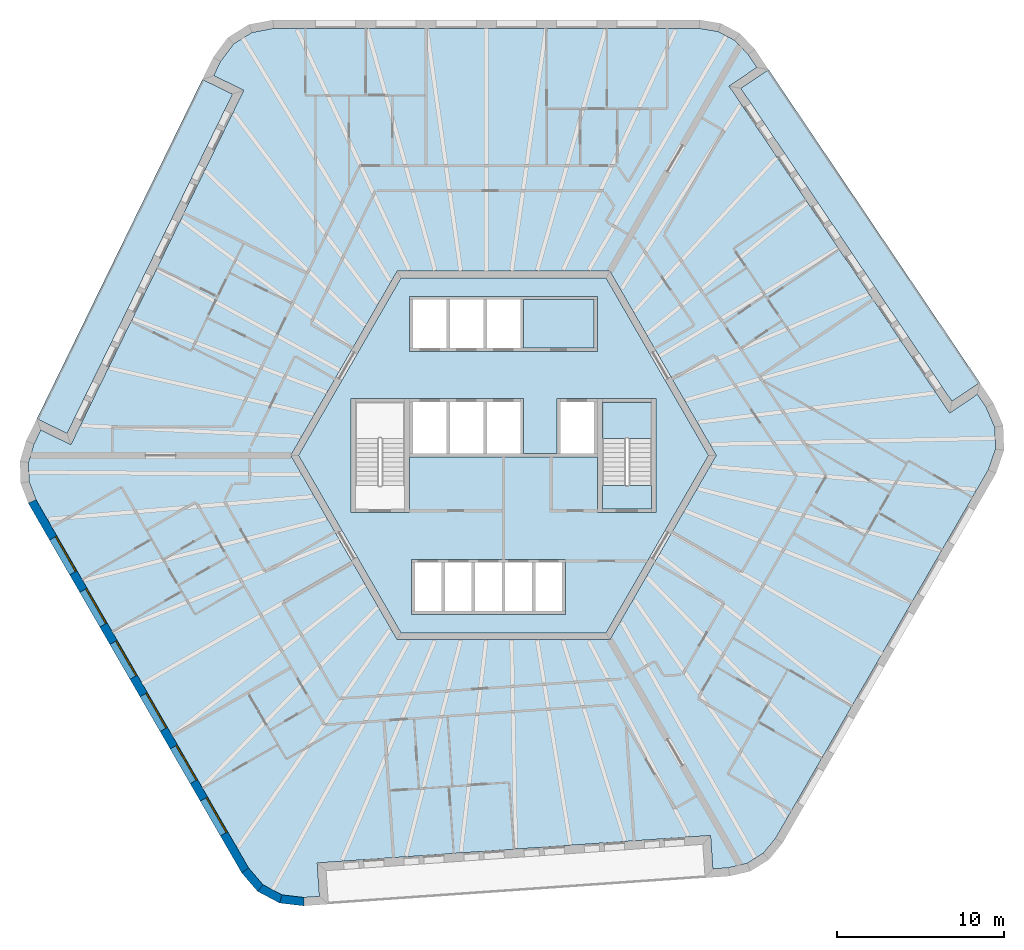
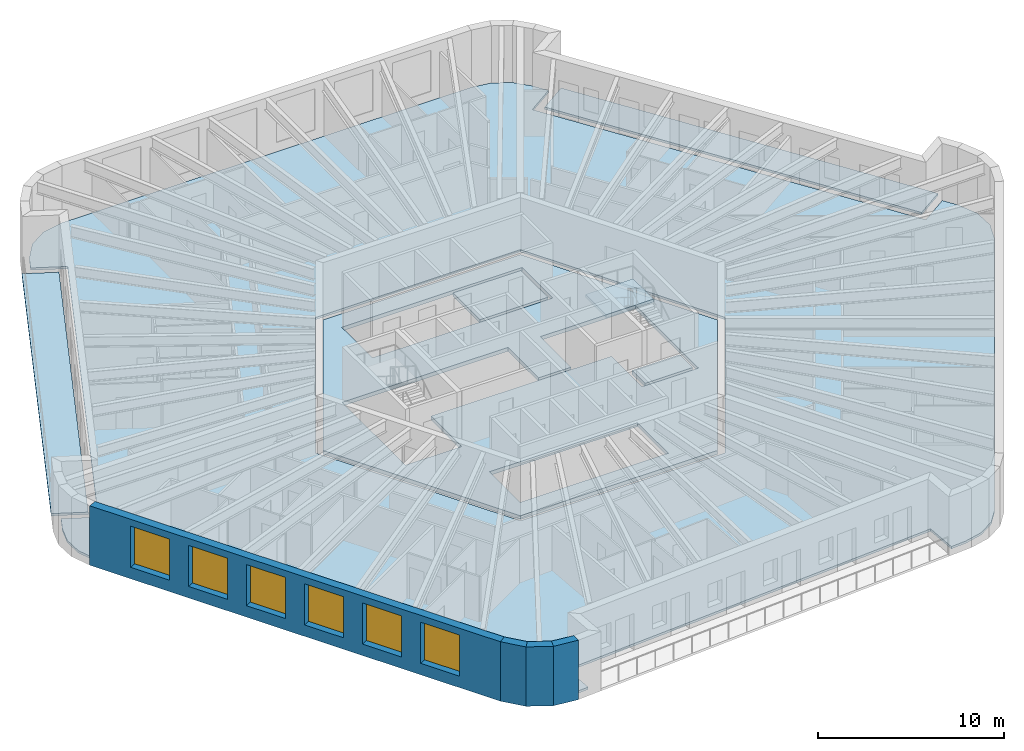
# One storey, part 2 of 12: 7 slabs, 6 windows, 4 walls, 6 openings, 1 element without a shape of its own.
"""IFC4 building model written with IfcOpenShell, lengths in metres."""

import ifcopenshell
import ifcopenshell.guid

model = None  # the IFC model being written
_history = None  # IfcOwnerHistory: only IFC2X3 demands one
_inside = {}  # id of a spatial element -> (the spatial element, [elements in it])
_under = {}  # id of a project, library or spatial element -> (it, [spatial elements below it])
_declared = {}  # id of a project -> (the project, [libraries it declares])
_typed = {}  # id of a type object -> (the type object, [elements of that type])
_made_of = {}  # id of a material, layer set ... -> (it, [elements and type objects made of it])


def new_model(schema):
    """Start an empty IFC model of exactly this schema.

    Asked for "IFC4X3", IfcOpenShell would pick the latest addendum, in which some entities
    have other attributes; the version numbers below select the first issue.
    IFC2X3 requires an IfcOwnerHistory on every rooted entity: one is made here for all.
    """
    global model, _history
    if schema == "IFC4X3":
        model = ifcopenshell.file(schema_version=(4, 3, 0, 0))
    else:
        model = ifcopenshell.file(schema=schema)
    _inside.clear()
    _under.clear()
    _declared.clear()
    _typed.clear()
    _made_of.clear()
    _history = None
    if model.schema == "IFC2X3":
        org = make("IfcOrganization", Name="unknown")
        user = make(
            "IfcPersonAndOrganization",
            ThePerson=make("IfcPerson", FamilyName="unknown"),
            TheOrganization=org,
        )
        app = make(
            "IfcApplication",
            ApplicationDeveloper=org,
            Version="unknown",
            ApplicationFullName="unknown",
            ApplicationIdentifier="unknown",
        )
        _history = make(
            "IfcOwnerHistory",
            OwningUser=user,
            OwningApplication=app,
            ChangeAction="ADDED",
            CreationDate=0,
        )
    return model


def make(cls, **values):
    """One entity of the class cls with the attributes given. An attribute that is None is left unset."""
    return model.create_entity(
        cls, **{name: value for name, value in values.items() if value is not None}
    )


def rooted(cls, **values):
    """An entity with a GlobalId (a new one), such as an element, a storey or a relation."""
    return make(cls, GlobalId=ifcopenshell.guid.new(), OwnerHistory=_history, **values)


def si_unit(unit_type, name, prefix=None):
    """IfcSIUnit, for example si_unit("LENGTHUNIT", "METRE", prefix="MILLI")."""
    return make("IfcSIUnit", UnitType=unit_type, Prefix=prefix, Name=name)


def assignment(units):
    """IfcUnitAssignment: the units of a project."""
    return None if units is None else make("IfcUnitAssignment", Units=units)


def point(xyz):
    """IfcCartesianPoint."""
    return None if xyz is None else make("IfcCartesianPoint", Coordinates=xyz)


def direction(xyz):
    """IfcDirection."""
    return None if xyz is None else make("IfcDirection", DirectionRatios=xyz)


def frame(location, z_axis=None, x_axis=None):
    """IfcAxis2Placement3D, a coordinate frame: its origin and axes. An axis left out is left unset."""
    return make(
        "IfcAxis2Placement3D",
        Location=point(location),
        Axis=direction(z_axis),
        RefDirection=direction(x_axis),
    )


def frame_2d(location, x_axis=None):
    """IfcAxis2Placement2D, a coordinate frame in the plane: its origin and x axis."""
    return make(
        "IfcAxis2Placement2D", Location=point(location), RefDirection=direction(x_axis)
    )


def origin():
    """The frame at (0, 0, 0) with its axes left unset."""
    return frame((0.0, 0.0, 0.0))


def place(relative_to, where):
    """IfcLocalPlacement: puts the frame where relative to a parent placement (None: the world)."""
    return make(
        "IfcLocalPlacement", PlacementRelTo=relative_to, RelativePlacement=where
    )


def context(
    kind, dimensions, precision=None, world=None, true_north=None, identifier=None
):
    """IfcGeometricRepresentationContext, for example the 3D "Model" context."""
    return make(
        "IfcGeometricRepresentationContext",
        ContextIdentifier=identifier,
        ContextType=kind,
        CoordinateSpaceDimension=dimensions,
        Precision=precision,
        WorldCoordinateSystem=world,
        TrueNorth=true_north,
    )


def subcontext(parent, identifier, kind, view, scale=None):
    """IfcGeometricRepresentationSubContext, for example "Body" below "Model"."""
    return make(
        "IfcGeometricRepresentationSubContext",
        ContextIdentifier=identifier,
        ContextType=kind,
        ParentContext=parent,
        TargetScale=scale,
        TargetView=view,
    )


def project(units=None, contexts=None):
    """IfcProject with its units and contexts."""
    return rooted(
        "IfcProject",
        Name="project",
        RepresentationContexts=contexts,
        UnitsInContext=assignment(units),
    )


def spatial(cls, under=None, at=None, **own):
    """A site, building, storey or space (cls), placed at a placement, below another one or the project."""
    s = rooted(cls, ObjectPlacement=at, **own)
    if under is not None:
        _under.setdefault(under.id(), (under, []))[1].append(s)
    return s


def polyline(points):
    """IfcPolyline through the points."""
    return make("IfcPolyline", Points=[point(p) for p in points])


def profile(cls, at=None, kind="AREA", **sizes):
    """A parametric profile (cls). Its sizes go by their IFC names, for example OverallWidth=200.0."""
    return make(cls, ProfileType=kind, Position=at, **sizes)


def rectangle(**sizes):
    """IfcRectangleProfileDef."""
    return profile("IfcRectangleProfileDef", **sizes)


def outline(outer, holes=None, kind="AREA"):
    """IfcArbitraryClosedProfileDef: a profile drawn as a closed curve; with holes, ...WithVoids."""
    if holes is None:
        return make("IfcArbitraryClosedProfileDef", ProfileType=kind, OuterCurve=outer)
    return make(
        "IfcArbitraryProfileDefWithVoids",
        ProfileType=kind,
        OuterCurve=outer,
        InnerCurves=holes,
    )


def extrude(swept, where, along, depth):
    """IfcExtrudedAreaSolid: the profile swept, set in the frame where, extruded along a direction by depth."""
    return make(
        "IfcExtrudedAreaSolid",
        SweptArea=swept,
        Position=where,
        ExtrudedDirection=direction(along),
        Depth=depth,
    )


def shape(context_of_items, identifier, shape_type, items):
    """IfcShapeRepresentation: the items that make up one representation, for example the "Body"."""
    return make(
        "IfcShapeRepresentation",
        ContextOfItems=context_of_items,
        RepresentationIdentifier=identifier,
        RepresentationType=shape_type,
        Items=items,
    )


def material(Name=None, Category=None):
    """IfcMaterial."""
    return make("IfcMaterial", Name=Name, Category=Category)


def layer(
    of_material, thickness, ventilated=None, Name=None, Category=None, Priority=None
):
    """IfcMaterialLayer: one layer of a wall or slab, of a material (None: an air gap)."""
    return make(
        "IfcMaterialLayer",
        Material=of_material,
        LayerThickness=thickness,
        IsVentilated=ventilated,
        Name=Name,
        Category=Category,
        Priority=Priority,
    )


def layer_set(layers, Name=None):
    """IfcMaterialLayerSet."""
    return make("IfcMaterialLayerSet", MaterialLayers=layers, LayerSetName=Name)


def made_of(thing, what):
    """Note that an element or type object is made of a material, layer set ...; save() writes the relation."""
    if what is not None:
        _made_of.setdefault(what.id(), (what, []))[1].append(thing)
    return thing


def type_object(cls, material=None, **own):
    """A type object (cls), such as IfcWallType, which elements share."""
    return made_of(rooted(cls, **own), material)


def element(
    cls,
    number,
    at=None,
    inside=None,
    cuts=None,
    type_object=None,
    material=None,
    context=None,
    identifier="Body",
    shape_type=None,
    held_by="IfcProductDefinitionShape",
    body=None,
    shapes=None,
    **own,
):
    """One element of the class cls, such as IfcWall. Its Tag is "e" and its number.

    at: its placement. inside: the storey or other place that contains it. cuts: it is an
    opening in that element (IfcRelVoidsElement). A single representation is given by context,
    identifier, shape_type and body (its items); several are given by shapes. held_by: the class
    of the entity that holds the representations. save() writes the other relations.
    """
    e = rooted(cls, Tag="e%d" % number, ObjectPlacement=at, **own)
    if body is not None:
        shapes = [shape(context, identifier, shape_type, body)]
    if shapes is not None:
        e.Representation = make(held_by, Representations=shapes)
    if inside is not None:
        _inside.setdefault(inside.id(), (inside, []))[1].append(e)
    if cuts is not None:
        rooted(
            "IfcRelVoidsElement", RelatingBuildingElement=cuts, RelatedOpeningElement=e
        )
    if type_object is not None:
        _typed.setdefault(type_object.id(), (type_object, []))[1].append(e)
    return made_of(e, material)


def fill(opening, filler):
    """IfcRelFillsElement: the door or window that sits in an opening."""
    return rooted(
        "IfcRelFillsElement",
        RelatingOpeningElement=opening,
        RelatedBuildingElement=filler,
    )


def aggregate(whole, parts):
    """IfcRelAggregates: a whole, such as a stair, and the parts it consists of."""
    return rooted("IfcRelAggregates", RelatingObject=whole, RelatedObjects=parts)


def save(model, path):
    """Write the relations noted so far, then the file.

    IfcRelAggregates (storeys below a building ...), IfcRelContainedInSpatialStructure (elements
    in a storey), IfcRelDefinesByType, IfcRelAssociatesMaterial and IfcRelDeclares: one each for
    every whole, place, type object, material and project.
    """
    for whole, parts in _under.values():
        aggregate(whole, parts)
    for where, things in _inside.values():
        rooted(
            "IfcRelContainedInSpatialStructure",
            RelatedElements=things,
            RelatingStructure=where,
        )
    for kind, things in _typed.values():
        rooted("IfcRelDefinesByType", RelatedObjects=things, RelatingType=kind)
    for what, things in _made_of.values():
        rooted("IfcRelAssociatesMaterial", RelatedObjects=things, RelatingMaterial=what)
    for by, libraries in _declared.values():
        rooted("IfcRelDeclares", RelatingContext=by, RelatedDefinitions=libraries)
    model.write(path)


model = new_model("IFC4")

# Units and contexts
model_context = context("Model", 3, precision=1e-05, world=origin(), true_north=direction((0.0, 1.0)))
body_context = subcontext(model_context, "Body", "Model", "MODEL_VIEW")
ifc_project = project(units=[si_unit("LENGTHUNIT", "METRE"), si_unit("AREAUNIT", "SQUARE_METRE"), si_unit("VOLUMEUNIT", "CUBIC_METRE"), si_unit("PLANEANGLEUNIT", "RADIAN"), si_unit("MASSUNIT", "GRAM", prefix="KILO")], contexts=[model_context])

# Site, building, storey
site_placement = place(None, origin())
site = spatial("IfcSite", under=ifc_project, at=site_placement, CompositionType="ELEMENT")
building_placement = place(site_placement, origin())
building = spatial("IfcBuilding", under=site, at=building_placement, Name="Tarnside Tower", CompositionType="ELEMENT")
storey_placement = place(building_placement, frame((0.0, 0.0, 287.39990234375)))
storey = spatial("IfcBuildingStorey", under=building, at=storey_placement, Name="L69", CompositionType="ELEMENT", Elevation=287.39990234375)

# Slabs
ifc_material_1 = material(Name="Concrete C35/45", Category="concrete")
ifc_layer_1 = layer(ifc_material_1, 0.14990234375)
ifc_layer_set_1 = layer_set([ifc_layer_1], Name="Composite floor slab 150")
slab_type_1 = type_object("IfcSlabType", Name="Composite floor slab 150", PredefinedType="FLOOR", material=ifc_layer_set_1)
slab_1_placement = place(storey_placement, frame((0.0, 0.0, -0.14990234375)))
element("IfcSlab", 1, at=slab_1_placement, inside=storey, type_object=slab_type_1, Name="Floor slab L69", PredefinedType="FLOOR", context=body_context, shape_type="SweptSolid", body=[
    extrude(outline(polyline([(12.81689453125, 25.312744140625), (13.818115234375, 24.7802734375), (14.610595703125, 23.940185546875), (15.130615234375, 23.169677734375), (13.472412109375, 22.05126953125), (26.638427734375, 2.53173828125), (28.29638671875, 3.650146484375), (28.814697265625, 2.8818359375), (29.336669921875, 1.671875), (29.3818359375, 0.378662109375), (28.945556640625, -0.864990234375), (16.2451171875, -22.86279296875), (15.51318359375, -23.756103515625), (14.55126953125, -24.35693359375), (13.427490234375, -24.623291015625), (12.500244140625, -24.688232421875), (12.360595703125, -22.693115234375), (-11.126708984375, -24.33544921875), (-10.9873046875, -26.33056640625), (-11.91162109375, -26.395263671875), (-13.220458984375, -26.2421875), (-14.363037109375, -25.634765625), (-15.2216796875, -24.635009765625), (-27.922119140625, -2.63720703125), (-28.329833984375, -1.556640625), (-28.369384765625, -0.42333984375), (-28.0380859375, 0.68310546875), (-27.630615234375, 1.5185546875), (-25.8330078125, 0.641845703125), (-15.51171875, 21.8037109375), (-17.309326171875, 22.680419921875), (-16.903076171875, 23.51318359375), (-16.1162109375, 24.5703125), (-15.018798828125, 25.256103515625), (-13.723876953125, 25.5), (11.67724609375, 25.5), (12.81689453125, 25.312744140625)]), holes=[polyline([(-12.70166015625, 0.0), (-6.350830078125, -11.0), (6.350830078125, -11.0), (12.70166015625, 0.0), (6.350830078125, 11.0), (-6.350830078125, 11.0), (-12.70166015625, 0.0)])]), origin(), (0.0, 0.0, 1.0), 0.14990234375),
])
ifc_material_2 = material(Name="Concrete C40/50", Category="concrete")
ifc_layer_2 = layer(ifc_material_2, 0.25)
ifc_layer_set_2 = layer_set([ifc_layer_2], Name="Core slab C40/50")
slab_type_2 = type_object("IfcSlabType", Name="Core slab C40/50", PredefinedType="FLOOR", material=ifc_layer_set_2)
slab_2_placement = place(storey_placement, frame((0.0, 0.0, -0.25)))
element("IfcSlab", 2, at=slab_2_placement, inside=storey, type_object=slab_type_2, Name="L69 core floor slab 1", PredefinedType="FLOOR", context=body_context, shape_type="SweptSolid", body=[
    extrude(outline(polyline([(6.119873046875, 10.60009765625), (12.23974609375, 0.0), (6.119873046875, -10.60009765625), (-6.119873046875, -10.60009765625), (-12.23974609375, 0.0), (-6.119873046875, 10.60009765625), (6.119873046875, 10.60009765625)]), holes=[polyline([(-5.5, -9.5), (3.699951171875, -9.5), (3.699951171875, -9.300048828125), (3.699951171875, -6.39990234375), (3.699951171875, -6.199951171875), (-5.5, -6.199951171875), (-5.5, -6.39990234375), (-5.5, -9.300048828125), (-5.5, -9.5)]), polyline([(-5.60009765625, -3.39990234375), (-5.60009765625, -0.10009765625), (5.60009765625, -0.10009765625), (5.60009765625, -3.39990234375), (5.89990234375, -3.39990234375), (8.85009765625, -3.39990234375), (9.10009765625, -3.39990234375), (9.10009765625, 3.39990234375), (8.85009765625, 3.39990234375), (5.89990234375, 3.39990234375), (5.60009765625, 3.39990234375), (3.39990234375, 3.39990234375), (3.199951171875, 3.39990234375), (3.199951171875, 0.10009765625), (1.199951171875, 0.10009765625), (1.199951171875, 3.39990234375), (1.0, 3.39990234375), (-5.60009765625, 3.39990234375), (-5.89990234375, 3.39990234375), (-8.85009765625, 3.39990234375), (-9.10009765625, 3.39990234375), (-9.10009765625, -3.39990234375), (-8.85009765625, -3.39990234375), (-5.89990234375, -3.39990234375), (-5.60009765625, -3.39990234375)]), polyline([(-5.60009765625, 6.199951171875), (5.60009765625, 6.199951171875), (5.60009765625, 6.39990234375), (5.60009765625, 9.300048828125), (5.60009765625, 9.5), (-5.60009765625, 9.5), (-5.60009765625, 9.300048828125), (-5.60009765625, 6.39990234375), (-5.60009765625, 6.199951171875)])]), origin(), (0.0, 0.0, 1.0), 0.25),
])
slab_3_placement = place(storey_placement, frame((0.0, 0.0, -0.25)))
element("IfcSlab", 3, at=slab_3_placement, inside=storey, type_object=slab_type_2, Name="L69 core floor slab 3", PredefinedType="FLOOR", context=body_context, shape_type="SweptSolid", body=[
    extrude(outline(polyline([(5.89990234375, -1.800048828125), (8.85009765625, -1.800048828125), (8.85009765625, -3.199951171875), (5.89990234375, -3.199951171875), (5.89990234375, -1.800048828125)])), origin(), (0.0, 0.0, 1.0), 0.25),
])
slab_4_placement = place(storey_placement, frame((0.0, 0.0, -0.25)))
element("IfcSlab", 4, at=slab_4_placement, inside=storey, type_object=slab_type_2, Name="L69 core floor slab 4", PredefinedType="FLOOR", context=body_context, shape_type="SweptSolid", body=[
    extrude(outline(polyline([(5.39990234375, 6.39990234375), (1.199951171875, 6.39990234375), (1.199951171875, 9.300048828125), (5.39990234375, 9.300048828125), (5.39990234375, 6.39990234375)])), origin(), (0.0, 0.0, 1.0), 0.25),
])
ifc_material_3 = material(Name="Timber decking", Category="wood")
ifc_layer_3 = layer(ifc_material_3, 0.0400390625)
ifc_material_4 = material(Name="Concrete C60/75 precast", Category="concrete")
ifc_layer_4 = layer(ifc_material_4, 0.110107421875)
ifc_layer_set_3 = layer_set([ifc_layer_3, ifc_layer_4], Name="Loggia deck 150")
slab_type_3 = type_object("IfcSlabType", Name="Loggia deck 150", PredefinedType="FLOOR", material=ifc_layer_set_3)
slab_5_placement = place(storey_placement, frame((0.0, 0.0, -0.14990234375)))
element("IfcSlab", 5, at=slab_5_placement, inside=storey, type_object=slab_type_3, Name="Loggia deck L69 F2", PredefinedType="FLOOR", context=body_context, shape_type="SweptSolid", body=[
    extrude(outline(polyline([(-16.180419921875, 21.573486328125), (-26.063232421875, 1.310302734375), (-27.86083984375, 2.187255859375), (-17.97802734375, 22.4501953125), (-16.180419921875, 21.573486328125)])), origin(), (0.0, 0.0, 1.0), 0.14990234375),
])
slab_6_placement = place(storey_placement, frame((0.0, 0.0, -0.14990234375)))
element("IfcSlab", 6, at=slab_6_placement, inside=storey, type_object=slab_type_3, Name="Loggia deck L69 F6", PredefinedType="FLOOR", context=body_context, shape_type="SweptSolid", body=[
    extrude(outline(polyline([(26.7734375, 3.225830078125), (14.16650390625, 21.916259765625), (15.82470703125, 23.03466796875), (28.431396484375, 4.34423828125), (26.7734375, 3.225830078125)])), origin(), (0.0, 0.0, 1.0), 0.14990234375),
])

# Stair, slab
stair_type = type_object("IfcStairType", Name="Exit stair 1400 clear", PredefinedType="HALF_TURN_STAIR", material=ifc_material_2)
stair_placement = place(storey_placement, origin())
stair = element("IfcStair", 7, at=stair_placement, inside=storey, type_object=stair_type, Name="L69 Exit stair 1", PredefinedType="HALF_TURN_STAIR")
ifc_layer_5 = layer(ifc_material_2, 0.199951171875)
ifc_layer_set_4 = layer_set([ifc_layer_5], Name="Stair landing 200 C40/50")
slab_type_4 = type_object("IfcSlabType", Name="Stair landing 200 C40/50", PredefinedType="LANDING", material=ifc_layer_set_4)
slab_7_placement = place(storey_placement, frame((0.0, 0.0, 1.75)))
slab_7 = element("IfcSlab", 8, at=slab_7_placement, type_object=slab_type_4, Name="ST1 landing 1", PredefinedType="LANDING", context=body_context, shape_type="SweptSolid", body=[
    extrude(outline(polyline([(8.85009765625, 1.0), (8.85009765625, 3.199951171875), (5.89990234375, 3.199951171875), (5.89990234375, 1.0), (8.85009765625, 1.0)])), origin(), (0.0, 0.0, 1.0), 0.2001953125),
])
aggregate(stair, [slab_7])

# Wall, openings, windows
ifc_material_5 = material(Name="Facing brick", Category="masonry")
ifc_layer_6 = layer(ifc_material_5, 0.10205078125)
ifc_layer_7 = layer(ifc_material_4, 0.298095703125)
ifc_material_6 = material(Name="Mineral wool insulation")
ifc_layer_8 = layer(ifc_material_6, 0.10009765625)
ifc_layer_set_5 = layer_set([ifc_layer_6, ifc_layer_7, ifc_layer_8], Name="Tube wall 500 brick faced")
wall_type = type_object("IfcWallType", Name="Tube wall 500 brick faced", PredefinedType="SOLIDWALL", material=ifc_layer_set_5)
wall_1_placement = place(storey_placement, frame((-28.14892578125, -2.74462890625, -0.14990234375), z_axis=(0.0, 0.0, 1.0), x_axis=(0.500003737743, -0.866023245787, 0.0)))
wall_1 = element("IfcWall", 9, at=wall_1_placement, inside=storey, type_object=wall_type, Name="Tube wall L69 F3 flush 12", PredefinedType="SOLIDWALL", context=body_context, shape_type="SweptSolid", body=[
    extrude(outline(polyline([(-0.0205078125, -0.25), (25.468017578125, -0.25), (25.421142578125, 0.25), (0.0205078125, 0.25), (-0.0205078125, -0.25)])), origin(), (0.0, 0.0, 1.0), 3.89990234375),
])
opening_1_placement = place(wall_1_placement, frame((2.5224609375, 0.0, 0.75)))
opening_1 = element("IfcOpeningElement", 10, at=opening_1_placement, cuts=wall_1, Name="Opening WR", PredefinedType="OPENING", context=body_context, shape_type="SweptSolid", body=[
    extrude(rectangle(XDim=2.39990234375, YDim=2.699951171875, at=frame_2d((1.199951171875, 1.35009765625))), frame((0.0, 0.260009765625, 0.0), z_axis=(0.0, -1.0, 0.0), x_axis=(1.0, 0.0, 0.0)), (0.0, 0.0, 1.0), 0.52001953125),
])
opening_2_placement = place(wall_1_placement, frame((6.122314453125, 0.0, 0.75)))
opening_2 = element("IfcOpeningElement", 11, at=opening_2_placement, cuts=wall_1, Name="Opening WR", PredefinedType="OPENING", context=body_context, shape_type="SweptSolid", body=[
    extrude(rectangle(XDim=2.39990234375, YDim=2.699951171875, at=frame_2d((1.199951171875, 1.35009765625))), frame((0.0, 0.260009765625, 0.0), z_axis=(0.0, -1.0, 0.0), x_axis=(1.0, 0.0, 0.0)), (0.0, 0.0, 1.0), 0.52001953125),
])
opening_3_placement = place(wall_1_placement, frame((9.722412109375, 0.0, 0.75)))
opening_3 = element("IfcOpeningElement", 12, at=opening_3_placement, cuts=wall_1, Name="Opening WR", PredefinedType="OPENING", context=body_context, shape_type="SweptSolid", body=[
    extrude(rectangle(XDim=2.39990234375, YDim=2.699951171875, at=frame_2d((1.199951171875, 1.35009765625))), frame((0.0, 0.260009765625, 0.0), z_axis=(0.0, -1.0, 0.0), x_axis=(1.0, 0.0, 0.0)), (0.0, 0.0, 1.0), 0.52001953125),
])
opening_4_placement = place(wall_1_placement, frame((13.322509765625, 0.0, 0.75)))
opening_4 = element("IfcOpeningElement", 13, at=opening_4_placement, cuts=wall_1, Name="Opening WR", PredefinedType="OPENING", context=body_context, shape_type="SweptSolid", body=[
    extrude(rectangle(XDim=2.39990234375, YDim=2.699951171875, at=frame_2d((1.199951171875, 1.35009765625))), frame((0.0, 0.260009765625, 0.0), z_axis=(0.0, -1.0, 0.0), x_axis=(1.0, 0.0, 0.0)), (0.0, 0.0, 1.0), 0.52001953125),
])
opening_5_placement = place(wall_1_placement, frame((16.92236328125, 0.0, 0.75)))
opening_5 = element("IfcOpeningElement", 14, at=opening_5_placement, cuts=wall_1, Name="Opening WR", PredefinedType="OPENING", context=body_context, shape_type="SweptSolid", body=[
    extrude(rectangle(XDim=2.39990234375, YDim=2.699951171875, at=frame_2d((1.199951171875, 1.35009765625))), frame((0.0, 0.260009765625, 0.0), z_axis=(0.0, -1.0, 0.0), x_axis=(1.0, 0.0, 0.0)), (0.0, 0.0, 1.0), 0.52001953125),
])
opening_6_placement = place(wall_1_placement, frame((20.5224609375, 0.0, 0.75)))
opening_6 = element("IfcOpeningElement", 15, at=opening_6_placement, cuts=wall_1, Name="Opening WR", PredefinedType="OPENING", context=body_context, shape_type="SweptSolid", body=[
    extrude(rectangle(XDim=2.39990234375, YDim=2.699951171875, at=frame_2d((1.199951171875, 1.35009765625))), frame((0.0, 0.260009765625, 0.0), z_axis=(0.0, -1.0, 0.0), x_axis=(1.0, 0.0, 0.0)), (0.0, 0.0, 1.0), 0.52001953125),
])
ifc_material_7 = material(Name="Aluminium-framed double glazing", Category="aluminium")
window_type = type_object("IfcWindowType", Name="Residence window 2400 x 2700", PartitioningType="DOUBLE_PANEL_VERTICAL", PredefinedType="WINDOW", material=ifc_material_7)
window_1_placement = place(opening_1_placement, frame((0.0, 0.179931640625, 0.0)))
window_1 = element("IfcWindow", 16, at=window_1_placement, inside=storey, type_object=window_type, Name="E.WN.L69.F3.00", OverallHeight=2.699951171875, OverallWidth=2.39990234375, PartitioningType="DOUBLE_PANEL_VERTICAL", PredefinedType="WINDOW", context=body_context, shape_type="SweptSolid", body=[
    extrude(rectangle(XDim=2.39990234375, YDim=2.699951171875, at=frame_2d((1.199951171875, 1.35009765625))), frame((0.0, 0.030029296875, 0.0), z_axis=(0.0, -1.0, 0.0), x_axis=(1.0, 0.0, 0.0)), (0.0, 0.0, 1.0), 0.06005859375),
])
fill(opening_1, window_1)
window_2_placement = place(opening_2_placement, frame((0.0, 0.179931640625, 0.0)))
window_2 = element("IfcWindow", 17, at=window_2_placement, inside=storey, type_object=window_type, Name="E.WN.L69.F3.01", OverallHeight=2.699951171875, OverallWidth=2.39990234375, PartitioningType="DOUBLE_PANEL_VERTICAL", PredefinedType="WINDOW", context=body_context, shape_type="SweptSolid", body=[
    extrude(rectangle(XDim=2.39990234375, YDim=2.699951171875, at=frame_2d((1.199951171875, 1.35009765625))), frame((0.0, 0.030029296875, 0.0), z_axis=(0.0, -1.0, 0.0), x_axis=(1.0, 0.0, 0.0)), (0.0, 0.0, 1.0), 0.06005859375),
])
fill(opening_2, window_2)
window_3_placement = place(opening_3_placement, frame((0.0, 0.179931640625, 0.0)))
window_3 = element("IfcWindow", 18, at=window_3_placement, inside=storey, type_object=window_type, Name="E.WN.L69.F3.02", OverallHeight=2.699951171875, OverallWidth=2.39990234375, PartitioningType="DOUBLE_PANEL_VERTICAL", PredefinedType="WINDOW", context=body_context, shape_type="SweptSolid", body=[
    extrude(rectangle(XDim=2.39990234375, YDim=2.699951171875, at=frame_2d((1.199951171875, 1.35009765625))), frame((0.0, 0.030029296875, 0.0), z_axis=(0.0, -1.0, 0.0), x_axis=(1.0, 0.0, 0.0)), (0.0, 0.0, 1.0), 0.06005859375),
])
fill(opening_3, window_3)
window_4_placement = place(opening_4_placement, frame((0.0, 0.179931640625, 0.0)))
window_4 = element("IfcWindow", 19, at=window_4_placement, inside=storey, type_object=window_type, Name="E.WN.L69.F3.03", OverallHeight=2.699951171875, OverallWidth=2.39990234375, PartitioningType="DOUBLE_PANEL_VERTICAL", PredefinedType="WINDOW", context=body_context, shape_type="SweptSolid", body=[
    extrude(rectangle(XDim=2.39990234375, YDim=2.699951171875, at=frame_2d((1.199951171875, 1.35009765625))), frame((0.0, 0.030029296875, 0.0), z_axis=(0.0, -1.0, 0.0), x_axis=(1.0, 0.0, 0.0)), (0.0, 0.0, 1.0), 0.06005859375),
])
fill(opening_4, window_4)
window_5_placement = place(opening_5_placement, frame((0.0, 0.179931640625, 0.0)))
window_5 = element("IfcWindow", 20, at=window_5_placement, inside=storey, type_object=window_type, Name="E.WN.L69.F3.04", OverallHeight=2.699951171875, OverallWidth=2.39990234375, PartitioningType="DOUBLE_PANEL_VERTICAL", PredefinedType="WINDOW", context=body_context, shape_type="SweptSolid", body=[
    extrude(rectangle(XDim=2.39990234375, YDim=2.699951171875, at=frame_2d((1.199951171875, 1.35009765625))), frame((0.0, 0.030029296875, 0.0), z_axis=(0.0, -1.0, 0.0), x_axis=(1.0, 0.0, 0.0)), (0.0, 0.0, 1.0), 0.06005859375),
])
fill(opening_5, window_5)
window_6_placement = place(opening_6_placement, frame((0.0, 0.179931640625, 0.0)))
window_6 = element("IfcWindow", 21, at=window_6_placement, inside=storey, type_object=window_type, Name="E.WN.L69.F3.05", OverallHeight=2.699951171875, OverallWidth=2.39990234375, PartitioningType="DOUBLE_PANEL_VERTICAL", PredefinedType="WINDOW", context=body_context, shape_type="SweptSolid", body=[
    extrude(rectangle(XDim=2.39990234375, YDim=2.699951171875, at=frame_2d((1.199951171875, 1.35009765625))), frame((0.0, 0.030029296875, 0.0), z_axis=(0.0, -1.0, 0.0), x_axis=(1.0, 0.0, 0.0)), (0.0, 0.0, 1.0), 0.06005859375),
])
fill(opening_6, window_6)

# Walls
wall_2_placement = place(storey_placement, frame((-15.426513671875, -24.7802734375, -0.14990234375), z_axis=(0.0, 0.0, 1.0), x_axis=(0.651616566281, -0.758548515619, 0.0)))
element("IfcWall", 22, at=wall_2_placement, inside=storey, type_object=wall_type, Name="Tube wall L69 F3 chord 13", PredefinedType="SOLIDWALL", context=body_context, shape_type="SweptSolid", body=[
    extrude(outline(polyline([(-0.0234375, -0.25), (1.435302734375, -0.25), (1.341064453125, 0.25), (0.0234375, 0.25), (-0.0234375, -0.25)])), origin(), (0.0, 0.0, 1.0), 3.89990234375),
])
wall_3_placement = place(storey_placement, frame((-14.52197265625, -25.833251953125, -0.14990234375), z_axis=(0.0, 0.0, 1.0), x_axis=(0.882926676147, -0.469510899286, 0.0)))
element("IfcWall", 23, at=wall_3_placement, inside=storey, type_object=wall_type, Name="Tube wall L69 F3 chord 14", PredefinedType="SOLIDWALL", context=body_context, shape_type="SweptSolid", body=[
    extrude(outline(polyline([(-0.047119140625, -0.25), (1.435546875, -0.25), (1.34130859375, 0.25), (0.047119140625, 0.25), (-0.047119140625, -0.25)])), origin(), (0.0, 0.0, 1.0), 3.89990234375),
])
wall_4_placement = place(storey_placement, frame((-13.296142578125, -26.485107421875, -0.14990234375), z_axis=(0.0, 0.0, 1.0), x_axis=(0.993239161627, -0.116086036245, 0.0)))
element("IfcWall", 24, at=wall_4_placement, inside=storey, type_object=wall_type, Name="Tube wall L69 F3 chord 15", PredefinedType="SOLIDWALL", context=body_context, shape_type="SweptSolid", body=[
    extrude(outline(polyline([(-0.047119140625, -0.25), (1.411376953125, -0.25), (1.364501953125, 0.25), (0.047119140625, 0.25), (-0.047119140625, -0.25)])), origin(), (0.0, 0.0, 1.0), 3.89990234375),
])

save(model, "model.ifc")
